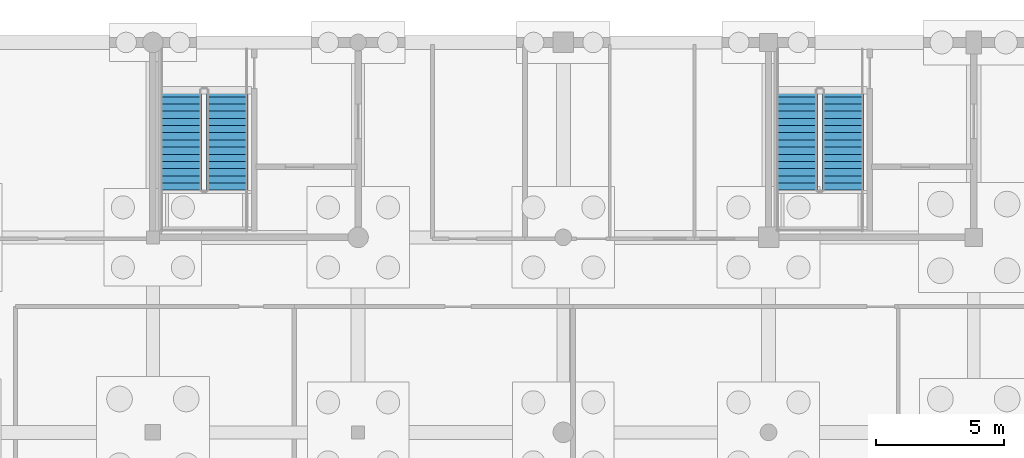
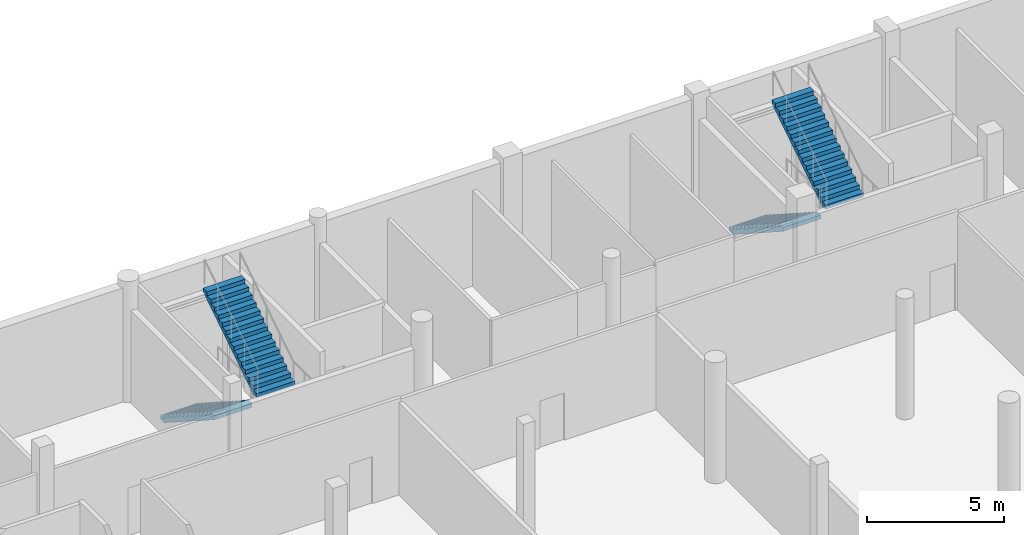
# One storey, part 34 of 44: 4 stair flights, 2 elements without a shape of their own.
"""IFC4 building model written with IfcOpenShell, lengths in metres."""

from ifc_helpers import new_model, si_unit, direction, frame, origin, place, context, subcontext, project, spatial, polyline, outline, extrude, material, type_object, element, aggregate, save


model = new_model("IFC4")

# Units and contexts
model_context = context("Model", 3, precision=1e-05, world=origin(), true_north=direction((0.0, 1.0)))
body_context = subcontext(model_context, "Body", "Model", "MODEL_VIEW")
ifc_project = project(units=[si_unit("LENGTHUNIT", "METRE"), si_unit("AREAUNIT", "SQUARE_METRE"), si_unit("VOLUMEUNIT", "CUBIC_METRE"), si_unit("PLANEANGLEUNIT", "RADIAN"), si_unit("MASSUNIT", "GRAM", prefix="KILO")], contexts=[model_context])

# Site, building, storey
site_placement = place(None, origin())
site = spatial("IfcSite", under=ifc_project, at=site_placement, CompositionType="ELEMENT")
building_placement = place(site_placement, origin())
building = spatial("IfcBuilding", under=site, at=building_placement, Name="Khelvaren Railside Concert Hall", CompositionType="ELEMENT")
storey_placement = place(building_placement, frame((0.0, 0.0, -5.39990234375)))
storey = spatial("IfcBuildingStorey", under=building, at=storey_placement, Name="B1", CompositionType="ELEMENT", Elevation=-5.39990234375)

# Stair, stair flights
ifc_material = material(Name="Concrete C40/50", Category="concrete")
stair_type = type_object("IfcStairType", Name="ST31", PredefinedType="HALF_TURN_STAIR", material=ifc_material)
stair_1_placement = place(storey_placement, origin())
stair_1 = element("IfcStair", 1, at=stair_1_placement, inside=storey, type_object=stair_type, Name="B1 Core Exit Stair ST-09", PredefinedType="HALF_TURN_STAIR")
stair_flight_type = type_object("IfcStairFlightType", Name="STF37", PredefinedType="STRAIGHT", material=ifc_material)
stair_flight_1_placement = place(storey_placement, frame((145.10009765625, 112.159912109375, 0.0), z_axis=(0.0, 0.0, 1.0), x_axis=(0.0, -1.0, 0.0)))
stair_flight_1 = element("IfcStairFlight", 2, at=stair_flight_1_placement, type_object=stair_flight_type, Name="ST-09 flight 1", NumberOfRisers=15, NumberOfTreads=14, PredefinedType="STRAIGHT", RiserHeight=0.18, TreadLength=0.28, context=body_context, shape_type="SweptSolid", body=[
    extrude(outline(polyline([(0.0, 0.0), (0.0, 0.179931640625), (0.280029296875, 0.179931640625), (0.280029296875, 0.360107421875), (0.56005859375, 0.360107421875), (0.56005859375, 0.5400390625), (0.840087890625, 0.5400390625), (0.840087890625, 0.719970703125), (1.1201171875, 0.719970703125), (1.1201171875, 0.89990234375), (1.39990234375, 0.89990234375), (1.39990234375, 1.080078125), (1.679931640625, 1.080078125), (1.679931640625, 1.260009765625), (1.9599609375, 1.260009765625), (1.9599609375, 1.43994140625), (2.239990234375, 1.43994140625), (2.239990234375, 1.6201171875), (2.52001953125, 1.6201171875), (2.52001953125, 1.800048828125), (2.800048828125, 1.800048828125), (2.800048828125, 1.97998046875), (3.080078125, 1.97998046875), (3.080078125, 2.159912109375), (3.360107421875, 2.159912109375), (3.360107421875, 2.340087890625), (3.639892578125, 2.340087890625), (3.639892578125, 2.52001953125), (3.919921875, 2.52001953125), (3.919921875, 2.699951171875), (3.919921875, 2.341796875), (0.277099609375, 0.0), (0.0, 0.0)])), frame((0.0, 0.800048828125, 0.0), z_axis=(0.0, -1.0, 0.0), x_axis=(1.0, 0.0, 0.0)), (0.0, 0.0, 1.0), 1.60009765625),
])
stair_flight_2_placement = place(storey_placement, frame((146.89990234375, 108.239990234375, 2.699951171875), z_axis=(0.0, 0.0, 1.0), x_axis=(0.0, 1.0, 0.0)))
stair_flight_2 = element("IfcStairFlight", 3, at=stair_flight_2_placement, type_object=stair_flight_type, Name="ST-09 flight 2", NumberOfRisers=15, NumberOfTreads=14, PredefinedType="STRAIGHT", RiserHeight=0.18, TreadLength=0.28, context=body_context, shape_type="SweptSolid", body=[
    extrude(outline(polyline([(0.0, 0.0), (0.0, 0.179931640625), (0.280029296875, 0.179931640625), (0.280029296875, 0.360107421875), (0.56005859375, 0.360107421875), (0.56005859375, 0.5400390625), (0.840087890625, 0.5400390625), (0.840087890625, 0.719970703125), (1.1201171875, 0.719970703125), (1.1201171875, 0.89990234375), (1.39990234375, 0.89990234375), (1.39990234375, 1.080078125), (1.679931640625, 1.080078125), (1.679931640625, 1.260009765625), (1.9599609375, 1.260009765625), (1.9599609375, 1.43994140625), (2.239990234375, 1.43994140625), (2.239990234375, 1.6201171875), (2.52001953125, 1.6201171875), (2.52001953125, 1.800048828125), (2.800048828125, 1.800048828125), (2.800048828125, 1.97998046875), (3.080078125, 1.97998046875), (3.080078125, 2.159912109375), (3.360107421875, 2.159912109375), (3.360107421875, 2.340087890625), (3.639892578125, 2.340087890625), (3.639892578125, 2.52001953125), (3.919921875, 2.52001953125), (3.919921875, 2.699951171875), (3.919921875, 2.341796875), (0.277099609375, 0.0), (0.0, 0.0)])), frame((0.0, 0.800048828125, 0.0), z_axis=(0.0, -1.0, 0.0), x_axis=(1.0, 0.0, 0.0)), (0.0, 0.0, 1.0), 1.60009765625),
])
aggregate(stair_1, [stair_flight_1, stair_flight_2])

stair_2_placement = place(storey_placement, origin())
stair_2 = element("IfcStair", 4, at=stair_2_placement, inside=storey, type_object=stair_type, Name="B1 Core Exit Stair ST-10", PredefinedType="HALF_TURN_STAIR")
stair_flight_3_placement = place(storey_placement, frame((169.10009765625, 112.159912109375, 0.0), z_axis=(0.0, 0.0, 1.0), x_axis=(0.0, -1.0, 0.0)))
stair_flight_3 = element("IfcStairFlight", 5, at=stair_flight_3_placement, type_object=stair_flight_type, Name="ST-10 flight 1", NumberOfRisers=15, NumberOfTreads=14, PredefinedType="STRAIGHT", RiserHeight=0.18, TreadLength=0.28, context=body_context, shape_type="SweptSolid", body=[
    extrude(outline(polyline([(0.0, 0.0), (0.0, 0.179931640625), (0.280029296875, 0.179931640625), (0.280029296875, 0.360107421875), (0.56005859375, 0.360107421875), (0.56005859375, 0.5400390625), (0.840087890625, 0.5400390625), (0.840087890625, 0.719970703125), (1.1201171875, 0.719970703125), (1.1201171875, 0.89990234375), (1.39990234375, 0.89990234375), (1.39990234375, 1.080078125), (1.679931640625, 1.080078125), (1.679931640625, 1.260009765625), (1.9599609375, 1.260009765625), (1.9599609375, 1.43994140625), (2.239990234375, 1.43994140625), (2.239990234375, 1.6201171875), (2.52001953125, 1.6201171875), (2.52001953125, 1.800048828125), (2.800048828125, 1.800048828125), (2.800048828125, 1.97998046875), (3.080078125, 1.97998046875), (3.080078125, 2.159912109375), (3.360107421875, 2.159912109375), (3.360107421875, 2.340087890625), (3.639892578125, 2.340087890625), (3.639892578125, 2.52001953125), (3.919921875, 2.52001953125), (3.919921875, 2.699951171875), (3.919921875, 2.341796875), (0.277099609375, 0.0), (0.0, 0.0)])), frame((0.0, 0.800048828125, 0.0), z_axis=(0.0, -1.0, 0.0), x_axis=(1.0, 0.0, 0.0)), (0.0, 0.0, 1.0), 1.60009765625),
])
stair_flight_4_placement = place(storey_placement, frame((170.89990234375, 108.239990234375, 2.699951171875), z_axis=(0.0, 0.0, 1.0), x_axis=(0.0, 1.0, 0.0)))
stair_flight_4 = element("IfcStairFlight", 6, at=stair_flight_4_placement, type_object=stair_flight_type, Name="ST-10 flight 2", NumberOfRisers=15, NumberOfTreads=14, PredefinedType="STRAIGHT", RiserHeight=0.18, TreadLength=0.28, context=body_context, shape_type="SweptSolid", body=[
    extrude(outline(polyline([(0.0, 0.0), (0.0, 0.179931640625), (0.280029296875, 0.179931640625), (0.280029296875, 0.360107421875), (0.56005859375, 0.360107421875), (0.56005859375, 0.5400390625), (0.840087890625, 0.5400390625), (0.840087890625, 0.719970703125), (1.1201171875, 0.719970703125), (1.1201171875, 0.89990234375), (1.39990234375, 0.89990234375), (1.39990234375, 1.080078125), (1.679931640625, 1.080078125), (1.679931640625, 1.260009765625), (1.9599609375, 1.260009765625), (1.9599609375, 1.43994140625), (2.239990234375, 1.43994140625), (2.239990234375, 1.6201171875), (2.52001953125, 1.6201171875), (2.52001953125, 1.800048828125), (2.800048828125, 1.800048828125), (2.800048828125, 1.97998046875), (3.080078125, 1.97998046875), (3.080078125, 2.159912109375), (3.360107421875, 2.159912109375), (3.360107421875, 2.340087890625), (3.639892578125, 2.340087890625), (3.639892578125, 2.52001953125), (3.919921875, 2.52001953125), (3.919921875, 2.699951171875), (3.919921875, 2.341796875), (0.277099609375, 0.0), (0.0, 0.0)])), frame((0.0, 0.800048828125, 0.0), z_axis=(0.0, -1.0, 0.0), x_axis=(1.0, 0.0, 0.0)), (0.0, 0.0, 1.0), 1.60009765625),
])
aggregate(stair_2, [stair_flight_3, stair_flight_4])

save(model, "model.ifc")
